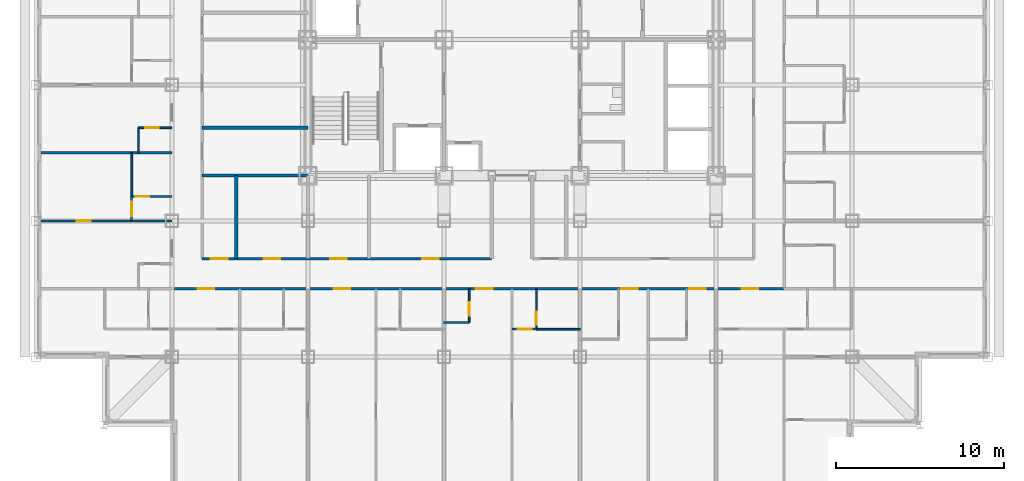
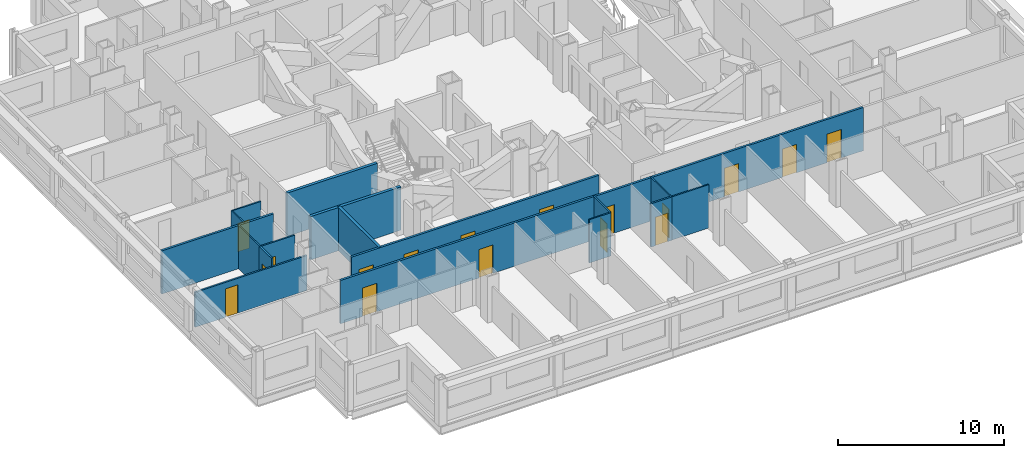
# One storey, part 5 of 15: 17 doors, 17 walls, 17 openings.
"""IFC4 building model written with IfcOpenShell, lengths in metres."""

import ifcopenshell
import ifcopenshell.guid

model = None  # the IFC model being written
_history = None  # IfcOwnerHistory: only IFC2X3 demands one
_inside = {}  # id of a spatial element -> (the spatial element, [elements in it])
_under = {}  # id of a project, library or spatial element -> (it, [spatial elements below it])
_declared = {}  # id of a project -> (the project, [libraries it declares])
_typed = {}  # id of a type object -> (the type object, [elements of that type])
_made_of = {}  # id of a material, layer set ... -> (it, [elements and type objects made of it])


def new_model(schema):
    """Start an empty IFC model of exactly this schema.

    Asked for "IFC4X3", IfcOpenShell would pick the latest addendum, in which some entities
    have other attributes; the version numbers below select the first issue.
    IFC2X3 requires an IfcOwnerHistory on every rooted entity: one is made here for all.
    """
    global model, _history
    if schema == "IFC4X3":
        model = ifcopenshell.file(schema_version=(4, 3, 0, 0))
    else:
        model = ifcopenshell.file(schema=schema)
    _inside.clear()
    _under.clear()
    _declared.clear()
    _typed.clear()
    _made_of.clear()
    _history = None
    if model.schema == "IFC2X3":
        org = make("IfcOrganization", Name="unknown")
        user = make(
            "IfcPersonAndOrganization",
            ThePerson=make("IfcPerson", FamilyName="unknown"),
            TheOrganization=org,
        )
        app = make(
            "IfcApplication",
            ApplicationDeveloper=org,
            Version="unknown",
            ApplicationFullName="unknown",
            ApplicationIdentifier="unknown",
        )
        _history = make(
            "IfcOwnerHistory",
            OwningUser=user,
            OwningApplication=app,
            ChangeAction="ADDED",
            CreationDate=0,
        )
    return model


def make(cls, **values):
    """One entity of the class cls with the attributes given. An attribute that is None is left unset."""
    return model.create_entity(
        cls, **{name: value for name, value in values.items() if value is not None}
    )


def rooted(cls, **values):
    """An entity with a GlobalId (a new one), such as an element, a storey or a relation."""
    return make(cls, GlobalId=ifcopenshell.guid.new(), OwnerHistory=_history, **values)


def si_unit(unit_type, name, prefix=None):
    """IfcSIUnit, for example si_unit("LENGTHUNIT", "METRE", prefix="MILLI")."""
    return make("IfcSIUnit", UnitType=unit_type, Prefix=prefix, Name=name)


def assignment(units):
    """IfcUnitAssignment: the units of a project."""
    return None if units is None else make("IfcUnitAssignment", Units=units)


def point(xyz):
    """IfcCartesianPoint."""
    return None if xyz is None else make("IfcCartesianPoint", Coordinates=xyz)


def direction(xyz):
    """IfcDirection."""
    return None if xyz is None else make("IfcDirection", DirectionRatios=xyz)


def frame(location, z_axis=None, x_axis=None):
    """IfcAxis2Placement3D, a coordinate frame: its origin and axes. An axis left out is left unset."""
    return make(
        "IfcAxis2Placement3D",
        Location=point(location),
        Axis=direction(z_axis),
        RefDirection=direction(x_axis),
    )


def frame_2d(location, x_axis=None):
    """IfcAxis2Placement2D, a coordinate frame in the plane: its origin and x axis."""
    return make(
        "IfcAxis2Placement2D", Location=point(location), RefDirection=direction(x_axis)
    )


def origin():
    """The frame at (0, 0, 0) with its axes left unset."""
    return frame((0.0, 0.0, 0.0))


def place(relative_to, where):
    """IfcLocalPlacement: puts the frame where relative to a parent placement (None: the world)."""
    return make(
        "IfcLocalPlacement", PlacementRelTo=relative_to, RelativePlacement=where
    )


def context(
    kind, dimensions, precision=None, world=None, true_north=None, identifier=None
):
    """IfcGeometricRepresentationContext, for example the 3D "Model" context."""
    return make(
        "IfcGeometricRepresentationContext",
        ContextIdentifier=identifier,
        ContextType=kind,
        CoordinateSpaceDimension=dimensions,
        Precision=precision,
        WorldCoordinateSystem=world,
        TrueNorth=true_north,
    )


def subcontext(parent, identifier, kind, view, scale=None):
    """IfcGeometricRepresentationSubContext, for example "Body" below "Model"."""
    return make(
        "IfcGeometricRepresentationSubContext",
        ContextIdentifier=identifier,
        ContextType=kind,
        ParentContext=parent,
        TargetScale=scale,
        TargetView=view,
    )


def project(units=None, contexts=None):
    """IfcProject with its units and contexts."""
    return rooted(
        "IfcProject",
        Name="project",
        RepresentationContexts=contexts,
        UnitsInContext=assignment(units),
    )


def spatial(cls, under=None, at=None, **own):
    """A site, building, storey or space (cls), placed at a placement, below another one or the project."""
    s = rooted(cls, ObjectPlacement=at, **own)
    if under is not None:
        _under.setdefault(under.id(), (under, []))[1].append(s)
    return s


def profile(cls, at=None, kind="AREA", **sizes):
    """A parametric profile (cls). Its sizes go by their IFC names, for example OverallWidth=200.0."""
    return make(cls, ProfileType=kind, Position=at, **sizes)


def rectangle(**sizes):
    """IfcRectangleProfileDef."""
    return profile("IfcRectangleProfileDef", **sizes)


def extrude(swept, where, along, depth):
    """IfcExtrudedAreaSolid: the profile swept, set in the frame where, extruded along a direction by depth."""
    return make(
        "IfcExtrudedAreaSolid",
        SweptArea=swept,
        Position=where,
        ExtrudedDirection=direction(along),
        Depth=depth,
    )


def shape(context_of_items, identifier, shape_type, items):
    """IfcShapeRepresentation: the items that make up one representation, for example the "Body"."""
    return make(
        "IfcShapeRepresentation",
        ContextOfItems=context_of_items,
        RepresentationIdentifier=identifier,
        RepresentationType=shape_type,
        Items=items,
    )


def material(Name=None, Category=None):
    """IfcMaterial."""
    return make("IfcMaterial", Name=Name, Category=Category)


def layer(
    of_material, thickness, ventilated=None, Name=None, Category=None, Priority=None
):
    """IfcMaterialLayer: one layer of a wall or slab, of a material (None: an air gap)."""
    return make(
        "IfcMaterialLayer",
        Material=of_material,
        LayerThickness=thickness,
        IsVentilated=ventilated,
        Name=Name,
        Category=Category,
        Priority=Priority,
    )


def layer_set(layers, Name=None):
    """IfcMaterialLayerSet."""
    return make("IfcMaterialLayerSet", MaterialLayers=layers, LayerSetName=Name)


def made_of(thing, what):
    """Note that an element or type object is made of a material, layer set ...; save() writes the relation."""
    if what is not None:
        _made_of.setdefault(what.id(), (what, []))[1].append(thing)
    return thing


def type_object(cls, material=None, **own):
    """A type object (cls), such as IfcWallType, which elements share."""
    return made_of(rooted(cls, **own), material)


def element(
    cls,
    number,
    at=None,
    inside=None,
    cuts=None,
    type_object=None,
    material=None,
    context=None,
    identifier="Body",
    shape_type=None,
    held_by="IfcProductDefinitionShape",
    body=None,
    shapes=None,
    **own,
):
    """One element of the class cls, such as IfcWall. Its Tag is "e" and its number.

    at: its placement. inside: the storey or other place that contains it. cuts: it is an
    opening in that element (IfcRelVoidsElement). A single representation is given by context,
    identifier, shape_type and body (its items); several are given by shapes. held_by: the class
    of the entity that holds the representations. save() writes the other relations.
    """
    e = rooted(cls, Tag="e%d" % number, ObjectPlacement=at, **own)
    if body is not None:
        shapes = [shape(context, identifier, shape_type, body)]
    if shapes is not None:
        e.Representation = make(held_by, Representations=shapes)
    if inside is not None:
        _inside.setdefault(inside.id(), (inside, []))[1].append(e)
    if cuts is not None:
        rooted(
            "IfcRelVoidsElement", RelatingBuildingElement=cuts, RelatedOpeningElement=e
        )
    if type_object is not None:
        _typed.setdefault(type_object.id(), (type_object, []))[1].append(e)
    return made_of(e, material)


def fill(opening, filler):
    """IfcRelFillsElement: the door or window that sits in an opening."""
    return rooted(
        "IfcRelFillsElement",
        RelatingOpeningElement=opening,
        RelatedBuildingElement=filler,
    )


def aggregate(whole, parts):
    """IfcRelAggregates: a whole, such as a stair, and the parts it consists of."""
    return rooted("IfcRelAggregates", RelatingObject=whole, RelatedObjects=parts)


def save(model, path):
    """Write the relations noted so far, then the file.

    IfcRelAggregates (storeys below a building ...), IfcRelContainedInSpatialStructure (elements
    in a storey), IfcRelDefinesByType, IfcRelAssociatesMaterial and IfcRelDeclares: one each for
    every whole, place, type object, material and project.
    """
    for whole, parts in _under.values():
        aggregate(whole, parts)
    for where, things in _inside.values():
        rooted(
            "IfcRelContainedInSpatialStructure",
            RelatedElements=things,
            RelatingStructure=where,
        )
    for kind, things in _typed.values():
        rooted("IfcRelDefinesByType", RelatedObjects=things, RelatingType=kind)
    for what, things in _made_of.values():
        rooted("IfcRelAssociatesMaterial", RelatedObjects=things, RelatingMaterial=what)
    for by, libraries in _declared.values():
        rooted("IfcRelDeclares", RelatingContext=by, RelatedDefinitions=libraries)
    model.write(path)


model = new_model("IFC4")

# Units and contexts
model_context = context("Model", 3, precision=1e-05, world=origin(), true_north=direction((0.0, 1.0)))
body_context = subcontext(model_context, "Body", "Model", "MODEL_VIEW")
ifc_project = project(units=[si_unit("LENGTHUNIT", "METRE"), si_unit("AREAUNIT", "SQUARE_METRE"), si_unit("VOLUMEUNIT", "CUBIC_METRE"), si_unit("PLANEANGLEUNIT", "RADIAN"), si_unit("MASSUNIT", "GRAM", prefix="KILO")], contexts=[model_context])

# Site, building, storey
site_placement = place(None, origin())
site = spatial("IfcSite", under=ifc_project, at=site_placement, CompositionType="ELEMENT")
building_placement = place(site_placement, origin())
building = spatial("IfcBuilding", under=site, at=building_placement, Name="Kopane Lantern Tower", CompositionType="ELEMENT")
storey_placement = place(building_placement, frame((0.0, 0.0, 140.800048828125)))
storey = spatial("IfcBuildingStorey", under=building, at=storey_placement, Name="L36", CompositionType="ELEMENT", Elevation=140.800048828125)

# Wall, opening, door
ifc_material_1 = material(Name="Gypsum board on steel studs", Category="steel")
ifc_layer_1 = layer(ifc_material_1, 0.1201171875)
ifc_layer_set_1 = layer_set([ifc_layer_1], Name="APARTMENT INTERNAL WALL 120")
wall_type_1 = type_object("IfcWallType", Name="APARTMENT INTERNAL WALL 120", PredefinedType="PARTITIONING", material=ifc_layer_set_1)
wall_1_placement = place(storey_placement, frame((8.10009765625, 21.60009765625, 0.0), z_axis=(0.0, 0.0, 1.0), x_axis=(-1.0, 0.0, 0.0)))
wall_1 = element("IfcWall", 1, at=wall_1_placement, inside=storey, type_object=wall_type_1, Name="Apartment Internal Wall 120 L36", PredefinedType="PARTITIONING", context=body_context, shape_type="SweptSolid", body=[
    extrude(rectangle(XDim=7.800048828125, YDim=0.1201171875, at=frame_2d((3.89990234375, 0.0))), origin(), (0.0, 0.0, 1.0), 2.57763671875),
])
opening_1_placement = place(wall_1_placement, frame((4.824951171875, 0.0, 0.0)))
opening_1 = element("IfcOpeningElement", 2, at=opening_1_placement, cuts=wall_1, Name="Opening L36-046", PredefinedType="OPENING", context=body_context, shape_type="SweptSolid", body=[
    extrude(rectangle(XDim=0.85009765625, YDim=2.10009765625, at=frame_2d((0.425048828125, 1.050048828125))), frame((0.0, 0.070068359375, 0.0), z_axis=(0.0, -1.0, 0.0), x_axis=(1.0, 0.0, 0.0)), (0.0, 0.0, 1.0), 0.14013671875),
])
ifc_material_2 = material(Name="Timber door set", Category="wood")
door_type_1 = type_object("IfcDoorType", Name="DOOR D4 850x2100", OperationType="SINGLE_SWING_LEFT", PredefinedType="DOOR", material=ifc_material_2)
door_1_placement = place(opening_1_placement, origin())
door_1 = element("IfcDoor", 3, at=door_1_placement, inside=storey, type_object=door_type_1, Name="Door L36-046", OperationType="SINGLE_SWING_RIGHT", OverallHeight=2.10009765625, OverallWidth=0.85009765625, PredefinedType="DOOR", context=body_context, shape_type="SweptSolid", body=[
    extrude(rectangle(XDim=0.85009765625, YDim=2.10009765625, at=frame_2d((0.425048828125, 1.050048828125))), frame((0.0, 0.02490234375, 0.0), z_axis=(0.0, -1.0, 0.0), x_axis=(1.0, 0.0, 0.0)), (0.0, 0.0, 1.0), 0.050048828125),
])
fill(opening_1, door_1)

wall_2_placement = place(storey_placement, frame((29.81005859375, 15.14990234375, 0.0), z_axis=(0.0, 0.0, 1.0), x_axis=(-1.0, 0.0, 0.0)))
wall_2 = element("IfcWall", 4, at=wall_2_placement, inside=storey, type_object=wall_type_1, Name="Apartment Internal Wall 120 L36", PredefinedType="PARTITIONING", context=body_context, shape_type="SweptSolid", body=[
    extrude(rectangle(XDim=1.4599609375, YDim=0.1201171875, at=frame_2d((0.72998046875, 0.0))), origin(), (0.0, 0.0, 1.0), 3.18994140625),
])
opening_2_placement = place(wall_2_placement, frame((0.27490234375, 0.0, 0.0)))
opening_2 = element("IfcOpeningElement", 5, at=opening_2_placement, cuts=wall_2, Name="Opening L36-089", PredefinedType="OPENING", context=body_context, shape_type="SweptSolid", body=[
    extrude(rectangle(XDim=0.85009765625, YDim=2.10009765625, at=frame_2d((0.425048828125, 1.050048828125))), frame((0.0, 0.070068359375, 0.0), z_axis=(0.0, -1.0, 0.0), x_axis=(1.0, 0.0, 0.0)), (0.0, 0.0, 1.0), 0.14013671875),
])
door_2_placement = place(opening_2_placement, origin())
door_2 = element("IfcDoor", 6, at=door_2_placement, inside=storey, type_object=door_type_1, Name="Door L36-089", OperationType="SINGLE_SWING_RIGHT", OverallHeight=2.10009765625, OverallWidth=0.85009765625, PredefinedType="DOOR", context=body_context, shape_type="SweptSolid", body=[
    extrude(rectangle(XDim=0.85009765625, YDim=2.10009765625, at=frame_2d((0.425048828125, 1.050048828125))), frame((0.0, 0.02490234375, 0.0), z_axis=(0.0, -1.0, 0.0), x_axis=(1.0, 0.0, 0.0)), (0.0, 0.0, 1.0), 0.050048828125),
])
fill(opening_2, door_2)

wall_3_placement = place(storey_placement, frame((5.699951171875, 21.60009765625, 0.0), z_axis=(0.0, 0.0, 1.0), x_axis=(0.0, 1.0, 0.0)))
wall_3 = element("IfcWall", 7, at=wall_3_placement, inside=storey, type_object=wall_type_1, Name="Apartment Internal Wall 120 L36", PredefinedType="PARTITIONING", context=body_context, shape_type="SweptSolid", body=[
    extrude(rectangle(XDim=1.4599609375, YDim=0.1201171875, at=frame_2d((0.72998046875, 0.0))), origin(), (0.0, 0.0, 1.0), 3.18994140625),
])
opening_3_placement = place(wall_3_placement, frame((0.27490234375, 0.0, 0.0)))
opening_3 = element("IfcOpeningElement", 8, at=opening_3_placement, cuts=wall_3, Name="Opening L36-094", PredefinedType="OPENING", context=body_context, shape_type="SweptSolid", body=[
    extrude(rectangle(XDim=0.85009765625, YDim=2.10009765625, at=frame_2d((0.425048828125, 1.050048828125))), frame((0.0, 0.070068359375, 0.0), z_axis=(0.0, -1.0, 0.0), x_axis=(1.0, 0.0, 0.0)), (0.0, 0.0, 1.0), 0.14013671875),
])
door_3_placement = place(opening_3_placement, origin())
door_3 = element("IfcDoor", 9, at=door_3_placement, inside=storey, type_object=door_type_1, Name="Door L36-094", OperationType="SINGLE_SWING_LEFT", OverallHeight=2.10009765625, OverallWidth=0.85009765625, PredefinedType="DOOR", context=body_context, shape_type="SweptSolid", body=[
    extrude(rectangle(XDim=0.85009765625, YDim=2.10009765625, at=frame_2d((0.425048828125, 1.050048828125))), frame((0.0, 0.02490234375, 0.0), z_axis=(0.0, -1.0, 0.0), x_axis=(1.0, 0.0, 0.0)), (0.0, 0.0, 1.0), 0.050048828125),
])
fill(opening_3, door_3)

# Wall
ifc_material_3 = material(Name="Moisture-resistant board on steel studs", Category="steel")
ifc_layer_2 = layer(ifc_material_3, 0.10009765625)
ifc_layer_set_2 = layer_set([ifc_layer_2], Name="BATHROOM WALL 100")
wall_type_2 = type_object("IfcWallType", Name="BATHROOM WALL 100", PredefinedType="PARTITIONING", material=ifc_layer_set_2)
wall_4_placement = place(storey_placement, frame((24.300048828125, 15.550048828125, 0.0), z_axis=(0.0, 0.0, 1.0), x_axis=(1.0, 0.0, 0.0)))
element("IfcWall", 10, at=wall_4_placement, inside=storey, type_object=wall_type_2, Name="Bathroom Wall 100 L36", PredefinedType="PARTITIONING", context=body_context, shape_type="SweptSolid", body=[
    extrude(rectangle(XDim=1.5, YDim=0.10009765625, at=frame_2d((0.75, 0.0))), origin(), (0.0, 0.0, 1.0), 3.18994140625),
])

# Wall, opening, door
wall_5_placement = place(storey_placement, frame((25.800048828125, 17.550048828125, 0.0), z_axis=(0.0, 0.0, 1.0), x_axis=(0.0, -1.0, 0.0)))
wall_5 = element("IfcWall", 11, at=wall_5_placement, inside=storey, type_object=wall_type_2, Name="Bathroom Wall 100 L36", PredefinedType="PARTITIONING", context=body_context, shape_type="SweptSolid", body=[
    extrude(rectangle(XDim=2.0, YDim=0.10009765625, at=frame_2d((1.0, 0.0))), origin(), (0.0, 0.0, 1.0), 3.18994140625),
])
opening_4_placement = place(wall_5_placement, frame((0.800048828125, 0.0, 0.0)))
opening_4 = element("IfcOpeningElement", 12, at=opening_4_placement, cuts=wall_5, Name="Opening L36-023", PredefinedType="OPENING", context=body_context, shape_type="SweptSolid", body=[
    extrude(rectangle(XDim=0.800048828125, YDim=2.10009765625, at=frame_2d((0.39990234375, 1.050048828125))), frame((0.0, 0.06005859375, 0.0), z_axis=(0.0, -1.0, 0.0), x_axis=(1.0, 0.0, 0.0)), (0.0, 0.0, 1.0), 0.1201171875),
])
ifc_material_4 = material(Name="Timber door set", Category="wood")
door_type_2 = type_object("IfcDoorType", Name="DOOR D2 800x2100", OperationType="SINGLE_SWING_LEFT", PredefinedType="DOOR", material=ifc_material_4)
door_4_placement = place(opening_4_placement, origin())
door_4 = element("IfcDoor", 13, at=door_4_placement, inside=storey, type_object=door_type_2, Name="Door L36-023", OperationType="SINGLE_SWING_LEFT", OverallHeight=2.10009765625, OverallWidth=0.800048828125, PredefinedType="DOOR", context=body_context, shape_type="SweptSolid", body=[
    extrude(rectangle(XDim=0.800048828125, YDim=2.10009765625, at=frame_2d((0.39990234375, 1.050048828125))), frame((0.0, 0.02490234375, 0.0), z_axis=(0.0, -1.0, 0.0), x_axis=(1.0, 0.0, 0.0)), (0.0, 0.0, 1.0), 0.050048828125),
])
fill(opening_4, door_4)

# Wall
wall_6_placement = place(storey_placement, frame((29.800048828125, 15.14990234375, 0.0), z_axis=(0.0, 0.0, 1.0), x_axis=(1.0, 0.0, 0.0)))
element("IfcWall", 14, at=wall_6_placement, inside=storey, type_object=wall_type_2, Name="Bathroom Wall 100 L36", PredefinedType="PARTITIONING", context=body_context, shape_type="SweptSolid", body=[
    extrude(rectangle(XDim=2.599853515625, YDim=0.10009765625, at=frame_2d((1.2998046875, 0.0))), origin(), (0.0, 0.0, 1.0), 3.18994140625),
])

# Wall, opening, door
wall_7_placement = place(storey_placement, frame((29.800048828125, 17.550048828125, 0.0), z_axis=(0.0, 0.0, 1.0), x_axis=(0.0, -1.0, 0.0)))
wall_7 = element("IfcWall", 15, at=wall_7_placement, inside=storey, type_object=wall_type_2, Name="Bathroom Wall 100 L36", PredefinedType="PARTITIONING", context=body_context, shape_type="SweptSolid", body=[
    extrude(rectangle(XDim=2.400146484375, YDim=0.10009765625, at=frame_2d((1.2001953125, 0.0))), origin(), (0.0, 0.0, 1.0), 3.18994140625),
])
opening_5_placement = place(wall_7_placement, frame((1.35009765625, 0.0, 0.0)))
opening_5 = element("IfcOpeningElement", 16, at=opening_5_placement, cuts=wall_7, Name="Opening L36-025", PredefinedType="OPENING", context=body_context, shape_type="SweptSolid", body=[
    extrude(rectangle(XDim=0.800048828125, YDim=2.10009765625, at=frame_2d((0.39990234375, 1.050048828125))), frame((0.0, 0.06005859375, 0.0), z_axis=(0.0, -1.0, 0.0), x_axis=(1.0, 0.0, 0.0)), (0.0, 0.0, 1.0), 0.1201171875),
])
door_5_placement = place(opening_5_placement, origin())
door_5 = element("IfcDoor", 17, at=door_5_placement, inside=storey, type_object=door_type_2, Name="Door L36-025", OperationType="SINGLE_SWING_LEFT", OverallHeight=2.10009765625, OverallWidth=0.800048828125, PredefinedType="DOOR", context=body_context, shape_type="SweptSolid", body=[
    extrude(rectangle(XDim=0.800048828125, YDim=2.10009765625, at=frame_2d((0.39990234375, 1.050048828125))), frame((0.0, 0.02490234375, 0.0), z_axis=(0.0, -1.0, 0.0), x_axis=(1.0, 0.0, 0.0)), (0.0, 0.0, 1.0), 0.050048828125),
])
fill(opening_5, door_5)

# Wall
wall_8_placement = place(storey_placement, frame((5.699951171875, 23.050048828125, 0.0), z_axis=(0.0, 0.0, 1.0), x_axis=(0.0, 1.0, 0.0)))
element("IfcWall", 18, at=wall_8_placement, inside=storey, type_object=wall_type_2, Name="Bathroom Wall 100 L36", PredefinedType="PARTITIONING", context=body_context, shape_type="SweptSolid", body=[
    extrude(rectangle(XDim=2.599853515625, YDim=0.10009765625, at=frame_2d((1.2998046875, 0.0))), origin(), (0.0, 0.0, 1.0), 3.18994140625),
])

# Wall, opening, door
wall_9_placement = place(storey_placement, frame((8.10009765625, 23.050048828125, 0.0), z_axis=(0.0, 0.0, 1.0), x_axis=(-1.0, 0.0, 0.0)))
wall_9 = element("IfcWall", 19, at=wall_9_placement, inside=storey, type_object=wall_type_2, Name="Bathroom Wall 100 L36", PredefinedType="PARTITIONING", context=body_context, shape_type="SweptSolid", body=[
    extrude(rectangle(XDim=2.400146484375, YDim=0.10009765625, at=frame_2d((1.2001953125, 0.0))), origin(), (0.0, 0.0, 1.0), 3.18994140625),
])
opening_6_placement = place(wall_9_placement, frame((1.35009765625, 0.0, 0.0)))
opening_6 = element("IfcOpeningElement", 20, at=opening_6_placement, cuts=wall_9, Name="Opening L36-045", PredefinedType="OPENING", context=body_context, shape_type="SweptSolid", body=[
    extrude(rectangle(XDim=0.800048828125, YDim=2.10009765625, at=frame_2d((0.39990234375, 1.050048828125))), frame((0.0, 0.06005859375, 0.0), z_axis=(0.0, -1.0, 0.0), x_axis=(1.0, 0.0, 0.0)), (0.0, 0.0, 1.0), 0.1201171875),
])
door_6_placement = place(opening_6_placement, origin())
door_6 = element("IfcDoor", 21, at=door_6_placement, inside=storey, type_object=door_type_2, Name="Door L36-045", OperationType="SINGLE_SWING_RIGHT", OverallHeight=2.10009765625, OverallWidth=0.800048828125, PredefinedType="DOOR", context=body_context, shape_type="SweptSolid", body=[
    extrude(rectangle(XDim=0.800048828125, YDim=2.10009765625, at=frame_2d((0.39990234375, 1.050048828125))), frame((0.0, 0.02490234375, 0.0), z_axis=(0.0, -1.0, 0.0), x_axis=(1.0, 0.0, 0.0)), (0.0, 0.0, 1.0), 0.050048828125),
])
fill(opening_6, door_6)

# Wall
wall_10_placement = place(storey_placement, frame((6.10009765625, 25.64990234375, 0.0), z_axis=(0.0, 0.0, 1.0), x_axis=(0.0, 1.0, 0.0)))
element("IfcWall", 22, at=wall_10_placement, inside=storey, type_object=wall_type_2, Name="Bathroom Wall 100 L36", PredefinedType="PARTITIONING", context=body_context, shape_type="SweptSolid", body=[
    extrude(rectangle(XDim=1.5, YDim=0.10009765625, at=frame_2d((0.75, 0.0))), origin(), (0.0, 0.0, 1.0), 3.18994140625),
])

# Wall, opening, door
wall_11_placement = place(storey_placement, frame((8.10009765625, 27.14990234375, 0.0), z_axis=(0.0, 0.0, 1.0), x_axis=(-1.0, 0.0, 0.0)))
wall_11 = element("IfcWall", 23, at=wall_11_placement, inside=storey, type_object=wall_type_2, Name="Bathroom Wall 100 L36", PredefinedType="PARTITIONING", context=body_context, shape_type="SweptSolid", body=[
    extrude(rectangle(XDim=2.0, YDim=0.10009765625, at=frame_2d((1.0, 0.0))), origin(), (0.0, 0.0, 1.0), 3.18994140625),
])
opening_7_placement = place(wall_11_placement, frame((0.800048828125, 0.0, 0.0)))
opening_7 = element("IfcOpeningElement", 24, at=opening_7_placement, cuts=wall_11, Name="Opening L36-047", PredefinedType="OPENING", context=body_context, shape_type="SweptSolid", body=[
    extrude(rectangle(XDim=0.800048828125, YDim=2.10009765625, at=frame_2d((0.39990234375, 1.050048828125))), frame((0.0, 0.06005859375, 0.0), z_axis=(0.0, -1.0, 0.0), x_axis=(1.0, 0.0, 0.0)), (0.0, 0.0, 1.0), 0.1201171875),
])
door_7_placement = place(opening_7_placement, origin())
door_7 = element("IfcDoor", 25, at=door_7_placement, inside=storey, type_object=door_type_2, Name="Door L36-047", OperationType="SINGLE_SWING_RIGHT", OverallHeight=2.10009765625, OverallWidth=0.800048828125, PredefinedType="DOOR", context=body_context, shape_type="SweptSolid", body=[
    extrude(rectangle(XDim=0.800048828125, YDim=2.10009765625, at=frame_2d((0.39990234375, 1.050048828125))), frame((0.0, 0.02490234375, 0.0), z_axis=(0.0, -1.0, 0.0), x_axis=(1.0, 0.0, 0.0)), (0.0, 0.0, 1.0), 0.050048828125),
])
fill(opening_7, door_7)

# Wall, openings, doors
ifc_material_5 = material(Name="Gypsum board on steel studs", Category="steel")
ifc_layer_3 = layer(ifc_material_5, 0.14990234375)
ifc_layer_set_3 = layer_set([ifc_layer_3], Name="CORRIDOR WALL 150 EI 60")
wall_type_3 = type_object("IfcWallType", Name="CORRIDOR WALL 150 EI 60", PredefinedType="PARTITIONING", material=ifc_layer_set_3)
wall_12_placement = place(storey_placement, frame((8.10009765625, 17.550048828125, 0.0), z_axis=(0.0, 0.0, 1.0), x_axis=(1.0, 0.0, 0.0)))
wall_12 = element("IfcWall", 26, at=wall_12_placement, inside=storey, type_object=wall_type_3, Name="Corridor Wall 150 Ei 60 L36", PredefinedType="PARTITIONING", context=body_context, shape_type="SweptSolid", body=[
    extrude(rectangle(XDim=36.449951171875, YDim=0.14990234375, at=frame_2d((18.22509765625, 0.0))), origin(), (0.0, 0.0, 1.0), 3.18994140625),
])
opening_8_placement = place(wall_12_placement, frame((9.625, 0.0, 0.0)))
opening_8 = element("IfcOpeningElement", 27, at=opening_8_placement, cuts=wall_12, Name="Opening L36-018", PredefinedType="OPENING", context=body_context, shape_type="SweptSolid", body=[
    extrude(rectangle(XDim=1.0, YDim=2.10009765625, at=frame_2d((0.5, 1.050048828125))), frame((0.0, 0.0849609375, 0.0), z_axis=(0.0, -1.0, 0.0), x_axis=(1.0, 0.0, 0.0)), (0.0, 0.0, 1.0), 0.169921875),
])
opening_9_placement = place(wall_12_placement, frame((18.10009765625, 0.0, 0.0)))
opening_9 = element("IfcOpeningElement", 28, at=opening_9_placement, cuts=wall_12, Name="Opening L36-024", PredefinedType="OPENING", context=body_context, shape_type="SweptSolid", body=[
    extrude(rectangle(XDim=1.0, YDim=2.10009765625, at=frame_2d((0.5, 1.050048828125))), frame((0.0, 0.0849609375, 0.0), z_axis=(0.0, -1.0, 0.0), x_axis=(1.0, 0.0, 0.0)), (0.0, 0.0, 1.0), 0.169921875),
])
opening_10_placement = place(wall_12_placement, frame((26.75, 0.0, 0.0)))
opening_10 = element("IfcOpeningElement", 29, at=opening_10_placement, cuts=wall_12, Name="Opening L36-028", PredefinedType="OPENING", context=body_context, shape_type="SweptSolid", body=[
    extrude(rectangle(XDim=1.0, YDim=2.10009765625, at=frame_2d((0.5, 1.050048828125))), frame((0.0, 0.0849609375, 0.0), z_axis=(0.0, -1.0, 0.0), x_axis=(1.0, 0.0, 0.0)), (0.0, 0.0, 1.0), 0.169921875),
])
opening_11_placement = place(wall_12_placement, frame((30.800048828125, 0.0, 0.0)))
opening_11 = element("IfcOpeningElement", 30, at=opening_11_placement, cuts=wall_12, Name="Opening L36-030", PredefinedType="OPENING", context=body_context, shape_type="SweptSolid", body=[
    extrude(rectangle(XDim=1.0, YDim=2.10009765625, at=frame_2d((0.5, 1.050048828125))), frame((0.0, 0.0849609375, 0.0), z_axis=(0.0, -1.0, 0.0), x_axis=(1.0, 0.0, 0.0)), (0.0, 0.0, 1.0), 0.169921875),
])
opening_12_placement = place(wall_12_placement, frame((1.52490234375, 0.0, 0.0)))
opening_12 = element("IfcOpeningElement", 31, at=opening_12_placement, cuts=wall_12, Name="Opening L36-070", PredefinedType="OPENING", context=body_context, shape_type="SweptSolid", body=[
    extrude(rectangle(XDim=1.0, YDim=2.10009765625, at=frame_2d((0.5, 1.050048828125))), frame((0.0, 0.0849609375, 0.0), z_axis=(0.0, -1.0, 0.0), x_axis=(1.0, 0.0, 0.0)), (0.0, 0.0, 1.0), 0.169921875),
])
opening_13_placement = place(wall_12_placement, frame((33.925048828125, 0.0, 0.0)))
opening_13 = element("IfcOpeningElement", 32, at=opening_13_placement, cuts=wall_12, Name="Opening L36-075", PredefinedType="OPENING", context=body_context, shape_type="SweptSolid", body=[
    extrude(rectangle(XDim=1.0, YDim=2.10009765625, at=frame_2d((0.5, 1.050048828125))), frame((0.0, 0.0849609375, 0.0), z_axis=(0.0, -1.0, 0.0), x_axis=(1.0, 0.0, 0.0)), (0.0, 0.0, 1.0), 0.169921875),
])
ifc_material_6 = material(Name="Steel door set", Category="steel")
door_type_3 = type_object("IfcDoorType", Name="DOOR D1 1000x2100 FD30S", OperationType="SINGLE_SWING_LEFT", PredefinedType="DOOR", material=ifc_material_6)
door_8_placement = place(opening_8_placement, origin())
door_8 = element("IfcDoor", 33, at=door_8_placement, inside=storey, type_object=door_type_3, Name="Door L36-018", OperationType="SINGLE_SWING_LEFT", OverallHeight=2.10009765625, OverallWidth=1.0, PredefinedType="DOOR", context=body_context, shape_type="SweptSolid", body=[
    extrude(rectangle(XDim=1.0, YDim=2.10009765625, at=frame_2d((0.5, 1.050048828125))), frame((0.0, 0.02490234375, 0.0), z_axis=(0.0, -1.0, 0.0), x_axis=(1.0, 0.0, 0.0)), (0.0, 0.0, 1.0), 0.050048828125),
])
fill(opening_8, door_8)
door_9_placement = place(opening_9_placement, origin())
door_9 = element("IfcDoor", 34, at=door_9_placement, inside=storey, type_object=door_type_3, Name="Door L36-024", OperationType="SINGLE_SWING_RIGHT", OverallHeight=2.10009765625, OverallWidth=1.0, PredefinedType="DOOR", context=body_context, shape_type="SweptSolid", body=[
    extrude(rectangle(XDim=1.0, YDim=2.10009765625, at=frame_2d((0.5, 1.050048828125))), frame((0.0, 0.02490234375, 0.0), z_axis=(0.0, -1.0, 0.0), x_axis=(1.0, 0.0, 0.0)), (0.0, 0.0, 1.0), 0.050048828125),
])
fill(opening_9, door_9)
door_10_placement = place(opening_10_placement, origin())
door_10 = element("IfcDoor", 35, at=door_10_placement, inside=storey, type_object=door_type_3, Name="Door L36-028", OperationType="SINGLE_SWING_RIGHT", OverallHeight=2.10009765625, OverallWidth=1.0, PredefinedType="DOOR", context=body_context, shape_type="SweptSolid", body=[
    extrude(rectangle(XDim=1.0, YDim=2.10009765625, at=frame_2d((0.5, 1.050048828125))), frame((0.0, 0.02490234375, 0.0), z_axis=(0.0, -1.0, 0.0), x_axis=(1.0, 0.0, 0.0)), (0.0, 0.0, 1.0), 0.050048828125),
])
fill(opening_10, door_10)
door_11_placement = place(opening_11_placement, origin())
door_11 = element("IfcDoor", 36, at=door_11_placement, inside=storey, type_object=door_type_3, Name="Door L36-030", OperationType="SINGLE_SWING_RIGHT", OverallHeight=2.10009765625, OverallWidth=1.0, PredefinedType="DOOR", context=body_context, shape_type="SweptSolid", body=[
    extrude(rectangle(XDim=1.0, YDim=2.10009765625, at=frame_2d((0.5, 1.050048828125))), frame((0.0, 0.02490234375, 0.0), z_axis=(0.0, -1.0, 0.0), x_axis=(1.0, 0.0, 0.0)), (0.0, 0.0, 1.0), 0.050048828125),
])
fill(opening_11, door_11)
door_12_placement = place(opening_12_placement, origin())
door_12 = element("IfcDoor", 37, at=door_12_placement, inside=storey, type_object=door_type_3, Name="Door L36-070", OperationType="SINGLE_SWING_LEFT", OverallHeight=2.10009765625, OverallWidth=1.0, PredefinedType="DOOR", context=body_context, shape_type="SweptSolid", body=[
    extrude(rectangle(XDim=1.0, YDim=2.10009765625, at=frame_2d((0.5, 1.050048828125))), frame((0.0, 0.02490234375, 0.0), z_axis=(0.0, -1.0, 0.0), x_axis=(1.0, 0.0, 0.0)), (0.0, 0.0, 1.0), 0.050048828125),
])
fill(opening_12, door_12)
door_13_placement = place(opening_13_placement, origin())
door_13 = element("IfcDoor", 38, at=door_13_placement, inside=storey, type_object=door_type_3, Name="Door L36-075", OperationType="SINGLE_SWING_RIGHT", OverallHeight=2.10009765625, OverallWidth=1.0, PredefinedType="DOOR", context=body_context, shape_type="SweptSolid", body=[
    extrude(rectangle(XDim=1.0, YDim=2.10009765625, at=frame_2d((0.5, 1.050048828125))), frame((0.0, 0.02490234375, 0.0), z_axis=(0.0, -1.0, 0.0), x_axis=(1.0, 0.0, 0.0)), (0.0, 0.0, 1.0), 0.050048828125),
])
fill(opening_13, door_13)

wall_13_placement = place(storey_placement, frame((9.89990234375, 19.35009765625, 0.0), z_axis=(0.0, 0.0, 1.0), x_axis=(1.0, 0.0, 0.0)))
wall_13 = element("IfcWall", 39, at=wall_13_placement, inside=storey, type_object=wall_type_3, Name="Corridor Wall 150 Ei 60 L36", PredefinedType="PARTITIONING", context=body_context, shape_type="SweptSolid", body=[
    extrude(rectangle(XDim=17.239990234375, YDim=0.14990234375, at=frame_2d((8.6201171875, 0.0))), origin(), (0.0, 0.0, 1.0), 3.18994140625),
])
opening_14_placement = place(wall_13_placement, frame((0.510009765625, 0.0, 0.0)))
opening_14 = element("IfcOpeningElement", 40, at=opening_14_placement, cuts=wall_13, Name="Opening L36-007", PredefinedType="OPENING", context=body_context, shape_type="SweptSolid", body=[
    extrude(rectangle(XDim=1.0, YDim=2.10009765625, at=frame_2d((0.5, 1.050048828125))), frame((0.0, 0.0849609375, 0.0), z_axis=(0.0, -1.0, 0.0), x_axis=(1.0, 0.0, 0.0)), (0.0, 0.0, 1.0), 0.169921875),
])
opening_15_placement = place(wall_13_placement, frame((3.66015625, 0.0, 0.0)))
opening_15 = element("IfcOpeningElement", 41, at=opening_15_placement, cuts=wall_13, Name="Opening L36-008", PredefinedType="OPENING", context=body_context, shape_type="SweptSolid", body=[
    extrude(rectangle(XDim=1.0, YDim=2.10009765625, at=frame_2d((0.5, 1.050048828125))), frame((0.0, 0.0849609375, 0.0), z_axis=(0.0, -1.0, 0.0), x_axis=(1.0, 0.0, 0.0)), (0.0, 0.0, 1.0), 0.169921875),
])
opening_16_placement = place(wall_13_placement, frame((7.6181640625, 0.0, 0.0)))
opening_16 = element("IfcOpeningElement", 42, at=opening_16_placement, cuts=wall_13, Name="Opening L36-009", PredefinedType="OPENING", context=body_context, shape_type="SweptSolid", body=[
    extrude(rectangle(XDim=1.0, YDim=2.10009765625, at=frame_2d((0.5, 1.050048828125))), frame((0.0, 0.0849609375, 0.0), z_axis=(0.0, -1.0, 0.0), x_axis=(1.0, 0.0, 0.0)), (0.0, 0.0, 1.0), 0.169921875),
])
opening_17_placement = place(wall_13_placement, frame((13.09326171875, 0.0, 0.0)))
opening_17 = element("IfcOpeningElement", 43, at=opening_17_placement, cuts=wall_13, Name="Opening L36-010", PredefinedType="OPENING", context=body_context, shape_type="SweptSolid", body=[
    extrude(rectangle(XDim=1.0, YDim=2.10009765625, at=frame_2d((0.5, 1.050048828125))), frame((0.0, 0.0849609375, 0.0), z_axis=(0.0, -1.0, 0.0), x_axis=(1.0, 0.0, 0.0)), (0.0, 0.0, 1.0), 0.169921875),
])
ifc_material_7 = material(Name="Steel door set", Category="steel")
door_type_4 = type_object("IfcDoorType", Name="DOOR D5 1000x2100 FD60", OperationType="SINGLE_SWING_LEFT", PredefinedType="DOOR", material=ifc_material_7)
door_14_placement = place(opening_14_placement, origin())
door_14 = element("IfcDoor", 44, at=door_14_placement, inside=storey, type_object=door_type_4, Name="Door L36-007", OperationType="SINGLE_SWING_LEFT", OverallHeight=2.10009765625, OverallWidth=1.0, PredefinedType="DOOR", context=body_context, shape_type="SweptSolid", body=[
    extrude(rectangle(XDim=1.0, YDim=2.10009765625, at=frame_2d((0.5, 1.050048828125))), frame((0.0, 0.02490234375, 0.0), z_axis=(0.0, -1.0, 0.0), x_axis=(1.0, 0.0, 0.0)), (0.0, 0.0, 1.0), 0.050048828125),
])
fill(opening_14, door_14)
door_15_placement = place(opening_15_placement, origin())
door_15 = element("IfcDoor", 45, at=door_15_placement, inside=storey, type_object=door_type_4, Name="Door L36-008", OperationType="SINGLE_SWING_RIGHT", OverallHeight=2.10009765625, OverallWidth=1.0, PredefinedType="DOOR", context=body_context, shape_type="SweptSolid", body=[
    extrude(rectangle(XDim=1.0, YDim=2.10009765625, at=frame_2d((0.5, 1.050048828125))), frame((0.0, 0.02490234375, 0.0), z_axis=(0.0, -1.0, 0.0), x_axis=(1.0, 0.0, 0.0)), (0.0, 0.0, 1.0), 0.050048828125),
])
fill(opening_15, door_15)
door_16_placement = place(opening_16_placement, origin())
door_16 = element("IfcDoor", 46, at=door_16_placement, inside=storey, type_object=door_type_4, Name="Door L36-009", OperationType="SINGLE_SWING_LEFT", OverallHeight=2.10009765625, OverallWidth=1.0, PredefinedType="DOOR", context=body_context, shape_type="SweptSolid", body=[
    extrude(rectangle(XDim=1.0, YDim=2.10009765625, at=frame_2d((0.5, 1.050048828125))), frame((0.0, 0.02490234375, 0.0), z_axis=(0.0, -1.0, 0.0), x_axis=(1.0, 0.0, 0.0)), (0.0, 0.0, 1.0), 0.050048828125),
])
fill(opening_16, door_16)
door_17_placement = place(opening_17_placement, origin())
door_17 = element("IfcDoor", 47, at=door_17_placement, inside=storey, type_object=door_type_4, Name="Door L36-010", OperationType="SINGLE_SWING_RIGHT", OverallHeight=2.10009765625, OverallWidth=1.0, PredefinedType="DOOR", context=body_context, shape_type="SweptSolid", body=[
    extrude(rectangle(XDim=1.0, YDim=2.10009765625, at=frame_2d((0.5, 1.050048828125))), frame((0.0, 0.02490234375, 0.0), z_axis=(0.0, -1.0, 0.0), x_axis=(1.0, 0.0, 0.0)), (0.0, 0.0, 1.0), 0.050048828125),
])
fill(opening_17, door_17)

# Walls
ifc_material_8 = material(Name="Gypsum board on steel studs", Category="steel")
ifc_layer_4 = layer(ifc_material_8, 0.14990234375)
ifc_layer_set_4 = layer_set([ifc_layer_4], Name="DEMISING WALL 150 EI 60")
wall_type_4 = type_object("IfcWallType", Name="DEMISING WALL 150 EI 60", PredefinedType="PARTITIONING", material=ifc_layer_set_4)
wall_14_placement = place(storey_placement, frame((8.10009765625, 25.64990234375, 0.0), z_axis=(0.0, 0.0, 1.0), x_axis=(-1.0, 0.0, 0.0)))
element("IfcWall", 48, at=wall_14_placement, inside=storey, type_object=wall_type_4, Name="Demising Wall 150 Ei 60 L36", PredefinedType="PARTITIONING", context=body_context, shape_type="SweptSolid", body=[
    extrude(rectangle(XDim=7.800048828125, YDim=0.14990234375, at=frame_2d((3.89990234375, 0.0))), origin(), (0.0, 0.0, 1.0), 3.18994140625),
])
ifc_material_9 = material(Name="Concrete masonry", Category="masonry")
ifc_layer_5 = layer(ifc_material_9, 0.199951171875)
ifc_layer_set_5 = layer_set([ifc_layer_5], Name="PLANT ROOM WALL 200 EI 120")
wall_type_5 = type_object("IfcWallType", Name="PLANT ROOM WALL 200 EI 120", PredefinedType="SOLIDWALL", material=ifc_layer_set_5)
wall_15_placement = place(storey_placement, frame((9.89990234375, 27.156982421875, 0.0), z_axis=(0.0, 0.0, 1.0), x_axis=(1.0, 0.0, 0.0)))
element("IfcWall", 49, at=wall_15_placement, inside=storey, type_object=wall_type_5, Name="Plant Room Wall 200 Ei 120 L36", PredefinedType="SOLIDWALL", context=body_context, shape_type="SweptSolid", body=[
    extrude(rectangle(XDim=6.300048828125, YDim=0.199951171875, at=frame_2d((3.14990234375, 0.0))), origin(), (0.0, 0.0, 1.0), 3.18994140625),
])
wall_16_placement = place(storey_placement, frame((11.920166015625, 19.35009765625, 0.0), z_axis=(0.0, 0.0, 1.0), x_axis=(0.0, 1.0, 0.0)))
element("IfcWall", 50, at=wall_16_placement, inside=storey, type_object=wall_type_5, Name="Plant Room Wall 200 Ei 120 L36", PredefinedType="SOLIDWALL", context=body_context, shape_type="SweptSolid", body=[
    extrude(rectangle(XDim=4.949951171875, YDim=0.199951171875, at=frame_2d((2.47509765625, 0.0))), origin(), (0.0, 0.0, 1.0), 3.18994140625),
])
wall_17_placement = place(storey_placement, frame((9.89990234375, 24.300048828125, 0.0), z_axis=(0.0, 0.0, 1.0), x_axis=(1.0, 0.0, 0.0)))
element("IfcWall", 51, at=wall_17_placement, inside=storey, type_object=wall_type_5, Name="Plant Room Wall 200 Ei 120 L36", PredefinedType="SOLIDWALL", context=body_context, shape_type="SweptSolid", body=[
    extrude(rectangle(XDim=6.300048828125, YDim=0.199951171875, at=frame_2d((3.14990234375, 0.0))), origin(), (0.0, 0.0, 1.0), 3.18994140625),
])

save(model, "model.ifc")
